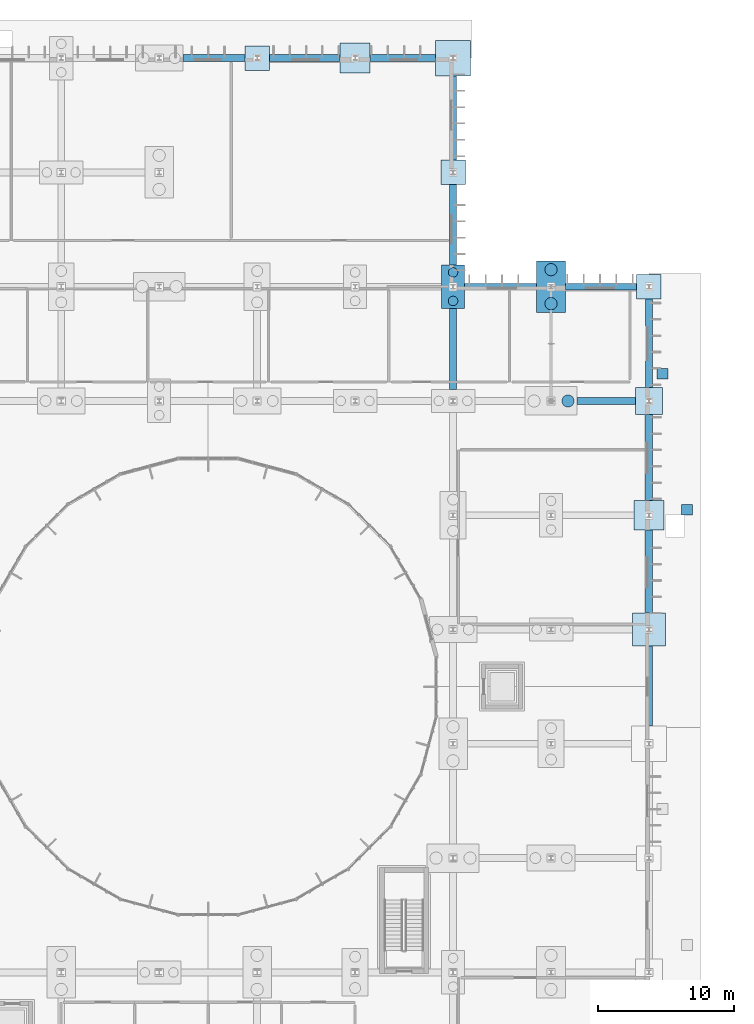
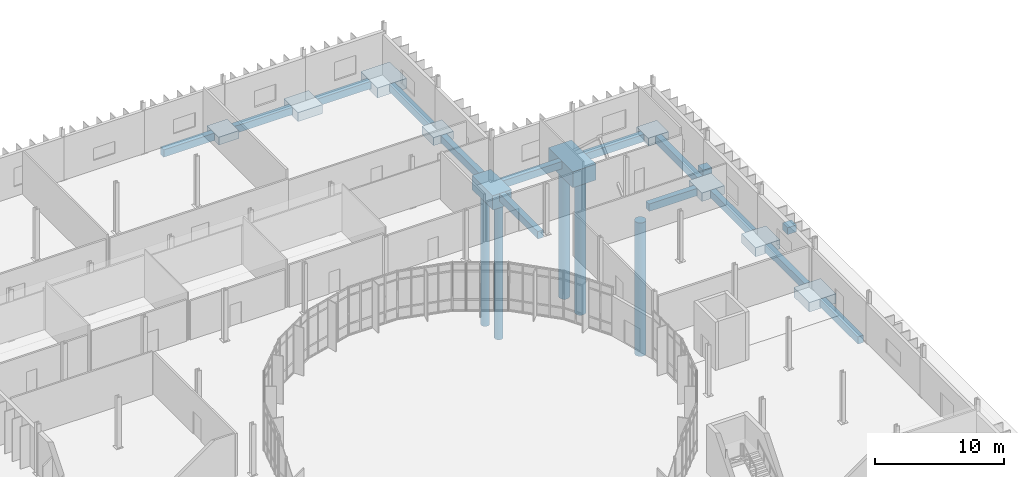
# One storey, part 7 of 118: 25 footings, 5 piles.
"""IFC4 building model written with IfcOpenShell, lengths in metres."""

import ifcopenshell
import ifcopenshell.guid

model = None  # the IFC model being written
_history = None  # IfcOwnerHistory: only IFC2X3 demands one
_inside = {}  # id of a spatial element -> (the spatial element, [elements in it])
_under = {}  # id of a project, library or spatial element -> (it, [spatial elements below it])
_declared = {}  # id of a project -> (the project, [libraries it declares])
_typed = {}  # id of a type object -> (the type object, [elements of that type])
_made_of = {}  # id of a material, layer set ... -> (it, [elements and type objects made of it])


def new_model(schema):
    """Start an empty IFC model of exactly this schema.

    Asked for "IFC4X3", IfcOpenShell would pick the latest addendum, in which some entities
    have other attributes; the version numbers below select the first issue.
    IFC2X3 requires an IfcOwnerHistory on every rooted entity: one is made here for all.
    """
    global model, _history
    if schema == "IFC4X3":
        model = ifcopenshell.file(schema_version=(4, 3, 0, 0))
    else:
        model = ifcopenshell.file(schema=schema)
    _inside.clear()
    _under.clear()
    _declared.clear()
    _typed.clear()
    _made_of.clear()
    _history = None
    if model.schema == "IFC2X3":
        org = make("IfcOrganization", Name="unknown")
        user = make(
            "IfcPersonAndOrganization",
            ThePerson=make("IfcPerson", FamilyName="unknown"),
            TheOrganization=org,
        )
        app = make(
            "IfcApplication",
            ApplicationDeveloper=org,
            Version="unknown",
            ApplicationFullName="unknown",
            ApplicationIdentifier="unknown",
        )
        _history = make(
            "IfcOwnerHistory",
            OwningUser=user,
            OwningApplication=app,
            ChangeAction="ADDED",
            CreationDate=0,
        )
    return model


def make(cls, **values):
    """One entity of the class cls with the attributes given. An attribute that is None is left unset."""
    return model.create_entity(
        cls, **{name: value for name, value in values.items() if value is not None}
    )


def rooted(cls, **values):
    """An entity with a GlobalId (a new one), such as an element, a storey or a relation."""
    return make(cls, GlobalId=ifcopenshell.guid.new(), OwnerHistory=_history, **values)


def si_unit(unit_type, name, prefix=None):
    """IfcSIUnit, for example si_unit("LENGTHUNIT", "METRE", prefix="MILLI")."""
    return make("IfcSIUnit", UnitType=unit_type, Prefix=prefix, Name=name)


def assignment(units):
    """IfcUnitAssignment: the units of a project."""
    return None if units is None else make("IfcUnitAssignment", Units=units)


def point(xyz):
    """IfcCartesianPoint."""
    return None if xyz is None else make("IfcCartesianPoint", Coordinates=xyz)


def direction(xyz):
    """IfcDirection."""
    return None if xyz is None else make("IfcDirection", DirectionRatios=xyz)


def frame(location, z_axis=None, x_axis=None):
    """IfcAxis2Placement3D, a coordinate frame: its origin and axes. An axis left out is left unset."""
    return make(
        "IfcAxis2Placement3D",
        Location=point(location),
        Axis=direction(z_axis),
        RefDirection=direction(x_axis),
    )


def frame_2d(location, x_axis=None):
    """IfcAxis2Placement2D, a coordinate frame in the plane: its origin and x axis."""
    return make(
        "IfcAxis2Placement2D", Location=point(location), RefDirection=direction(x_axis)
    )


def origin():
    """The frame at (0, 0, 0) with its axes left unset."""
    return frame((0.0, 0.0, 0.0))


def origin_2d():
    """The frame at (0, 0) in the plane with its x axis left unset."""
    return frame_2d((0.0, 0.0))


def place(relative_to, where):
    """IfcLocalPlacement: puts the frame where relative to a parent placement (None: the world)."""
    return make(
        "IfcLocalPlacement", PlacementRelTo=relative_to, RelativePlacement=where
    )


def context(
    kind, dimensions, precision=None, world=None, true_north=None, identifier=None
):
    """IfcGeometricRepresentationContext, for example the 3D "Model" context."""
    return make(
        "IfcGeometricRepresentationContext",
        ContextIdentifier=identifier,
        ContextType=kind,
        CoordinateSpaceDimension=dimensions,
        Precision=precision,
        WorldCoordinateSystem=world,
        TrueNorth=true_north,
    )


def subcontext(parent, identifier, kind, view, scale=None):
    """IfcGeometricRepresentationSubContext, for example "Body" below "Model"."""
    return make(
        "IfcGeometricRepresentationSubContext",
        ContextIdentifier=identifier,
        ContextType=kind,
        ParentContext=parent,
        TargetScale=scale,
        TargetView=view,
    )


def project(units=None, contexts=None):
    """IfcProject with its units and contexts."""
    return rooted(
        "IfcProject",
        Name="project",
        RepresentationContexts=contexts,
        UnitsInContext=assignment(units),
    )


def spatial(cls, under=None, at=None, **own):
    """A site, building, storey or space (cls), placed at a placement, below another one or the project."""
    s = rooted(cls, ObjectPlacement=at, **own)
    if under is not None:
        _under.setdefault(under.id(), (under, []))[1].append(s)
    return s


def polyline(points):
    """IfcPolyline through the points."""
    return make("IfcPolyline", Points=[point(p) for p in points])


def profile(cls, at=None, kind="AREA", **sizes):
    """A parametric profile (cls). Its sizes go by their IFC names, for example OverallWidth=200.0."""
    return make(cls, ProfileType=kind, Position=at, **sizes)


def rectangle(**sizes):
    """IfcRectangleProfileDef."""
    return profile("IfcRectangleProfileDef", **sizes)


def circle(**sizes):
    """IfcCircleProfileDef."""
    return profile("IfcCircleProfileDef", **sizes)


def outline(outer, holes=None, kind="AREA"):
    """IfcArbitraryClosedProfileDef: a profile drawn as a closed curve; with holes, ...WithVoids."""
    if holes is None:
        return make("IfcArbitraryClosedProfileDef", ProfileType=kind, OuterCurve=outer)
    return make(
        "IfcArbitraryProfileDefWithVoids",
        ProfileType=kind,
        OuterCurve=outer,
        InnerCurves=holes,
    )


def extrude(swept, where, along, depth):
    """IfcExtrudedAreaSolid: the profile swept, set in the frame where, extruded along a direction by depth."""
    return make(
        "IfcExtrudedAreaSolid",
        SweptArea=swept,
        Position=where,
        ExtrudedDirection=direction(along),
        Depth=depth,
    )


def shape(context_of_items, identifier, shape_type, items):
    """IfcShapeRepresentation: the items that make up one representation, for example the "Body"."""
    return make(
        "IfcShapeRepresentation",
        ContextOfItems=context_of_items,
        RepresentationIdentifier=identifier,
        RepresentationType=shape_type,
        Items=items,
    )


def material(Name=None, Category=None):
    """IfcMaterial."""
    return make("IfcMaterial", Name=Name, Category=Category)


def layer(
    of_material, thickness, ventilated=None, Name=None, Category=None, Priority=None
):
    """IfcMaterialLayer: one layer of a wall or slab, of a material (None: an air gap)."""
    return make(
        "IfcMaterialLayer",
        Material=of_material,
        LayerThickness=thickness,
        IsVentilated=ventilated,
        Name=Name,
        Category=Category,
        Priority=Priority,
    )


def layer_set(layers, Name=None):
    """IfcMaterialLayerSet."""
    return make("IfcMaterialLayerSet", MaterialLayers=layers, LayerSetName=Name)


def material_profile(
    of_material, cross_section, Name=None, Category=None, Priority=None
):
    """IfcMaterialProfile: a cross section and its material."""
    return make(
        "IfcMaterialProfile",
        Name=Name,
        Material=of_material,
        Profile=cross_section,
        Priority=Priority,
        Category=Category,
    )


def profile_set(profiles, Name=None, composite=None):
    """IfcMaterialProfileSet."""
    return make(
        "IfcMaterialProfileSet",
        Name=Name,
        MaterialProfiles=profiles,
        CompositeProfile=composite,
    )


def made_of(thing, what):
    """Note that an element or type object is made of a material, layer set ...; save() writes the relation."""
    if what is not None:
        _made_of.setdefault(what.id(), (what, []))[1].append(thing)
    return thing


def type_object(cls, material=None, **own):
    """A type object (cls), such as IfcWallType, which elements share."""
    return made_of(rooted(cls, **own), material)


def element(
    cls,
    number,
    at=None,
    inside=None,
    cuts=None,
    type_object=None,
    material=None,
    context=None,
    identifier="Body",
    shape_type=None,
    held_by="IfcProductDefinitionShape",
    body=None,
    shapes=None,
    **own,
):
    """One element of the class cls, such as IfcWall. Its Tag is "e" and its number.

    at: its placement. inside: the storey or other place that contains it. cuts: it is an
    opening in that element (IfcRelVoidsElement). A single representation is given by context,
    identifier, shape_type and body (its items); several are given by shapes. held_by: the class
    of the entity that holds the representations. save() writes the other relations.
    """
    e = rooted(cls, Tag="e%d" % number, ObjectPlacement=at, **own)
    if body is not None:
        shapes = [shape(context, identifier, shape_type, body)]
    if shapes is not None:
        e.Representation = make(held_by, Representations=shapes)
    if inside is not None:
        _inside.setdefault(inside.id(), (inside, []))[1].append(e)
    if cuts is not None:
        rooted(
            "IfcRelVoidsElement", RelatingBuildingElement=cuts, RelatedOpeningElement=e
        )
    if type_object is not None:
        _typed.setdefault(type_object.id(), (type_object, []))[1].append(e)
    return made_of(e, material)


def aggregate(whole, parts):
    """IfcRelAggregates: a whole, such as a stair, and the parts it consists of."""
    return rooted("IfcRelAggregates", RelatingObject=whole, RelatedObjects=parts)


def save(model, path):
    """Write the relations noted so far, then the file.

    IfcRelAggregates (storeys below a building ...), IfcRelContainedInSpatialStructure (elements
    in a storey), IfcRelDefinesByType, IfcRelAssociatesMaterial and IfcRelDeclares: one each for
    every whole, place, type object, material and project.
    """
    for whole, parts in _under.values():
        aggregate(whole, parts)
    for where, things in _inside.values():
        rooted(
            "IfcRelContainedInSpatialStructure",
            RelatedElements=things,
            RelatingStructure=where,
        )
    for kind, things in _typed.values():
        rooted("IfcRelDefinesByType", RelatedObjects=things, RelatingType=kind)
    for what, things in _made_of.values():
        rooted("IfcRelAssociatesMaterial", RelatedObjects=things, RelatingMaterial=what)
    for by, libraries in _declared.values():
        rooted("IfcRelDeclares", RelatingContext=by, RelatedDefinitions=libraries)
    model.write(path)


model = new_model("IFC4")

# Units and contexts
model_context = context("Model", 3, precision=1e-05, world=origin(), true_north=direction((0.0, 1.0)))
body_context = subcontext(model_context, "Body", "Model", "MODEL_VIEW")
ifc_project = project(units=[si_unit("LENGTHUNIT", "METRE"), si_unit("AREAUNIT", "SQUARE_METRE"), si_unit("VOLUMEUNIT", "CUBIC_METRE"), si_unit("PLANEANGLEUNIT", "RADIAN"), si_unit("MASSUNIT", "GRAM", prefix="KILO")], contexts=[model_context])

# Site, building, storey
site_placement = place(None, origin())
site = spatial("IfcSite", under=ifc_project, at=site_placement, CompositionType="ELEMENT")
building_placement = place(site_placement, origin())
building = spatial("IfcBuilding", under=site, at=building_placement, Name="Qelthora Terrace Specialist Clinic", CompositionType="ELEMENT")
storey_placement = place(building_placement, origin())
storey = spatial("IfcBuildingStorey", under=building, at=storey_placement, Name="L00", CompositionType="ELEMENT", Elevation=0.0)

# Footings
ifc_material = material(Name="Concrete C35/45", Category="concrete")
ifc_layer_1 = layer(ifc_material, 1.35009765625)
ifc_layer_set_1 = layer_set([ifc_layer_1], Name="Concrete C35/45")
footing_type_1 = type_object("IfcFootingType", Name="PC-1700X3200X1350", PredefinedType="PILE_CAP", material=ifc_layer_set_1)
footing_1_placement = place(storey_placement, frame((144.0, 92.39990234375, -1.610107421875), z_axis=(0.0, 0.0, 1.0), x_axis=(1.0, 0.0, 0.0)))
element("IfcFooting", 1, at=footing_1_placement, inside=storey, type_object=footing_type_1, Name="Foundation FTG-L00-233", PredefinedType="PILE_CAP", context=body_context, shape_type="SweptSolid", body=[
    extrude(rectangle(XDim=1.699951171875, YDim=3.199951171875, at=origin_2d()), origin(), (0.0, 0.0, 1.0), 1.35009765625),
])
ifc_layer_2 = layer(ifc_material, 1.5)
ifc_layer_set_2 = layer_set([ifc_layer_2], Name="Concrete C35/45")
footing_type_2 = type_object("IfcFootingType", Name="PC-2100X3800X1500", PredefinedType="PILE_CAP", material=ifc_layer_set_2)
footing_2_placement = place(storey_placement, frame((151.199951171875, 92.39990234375, -1.760009765625), z_axis=(0.0, 0.0, 1.0), x_axis=(1.0, 0.0, 0.0)))
element("IfcFooting", 2, at=footing_2_placement, inside=storey, type_object=footing_type_2, Name="Foundation FTG-L00-247", PredefinedType="PILE_CAP", context=body_context, shape_type="SweptSolid", body=[
    extrude(rectangle(XDim=2.10009765625, YDim=3.800048828125, at=origin_2d()), origin(), (0.0, 0.0, 1.0), 1.5),
])
ifc_layer_3 = layer(ifc_material, 0.75)
ifc_layer_set_3 = layer_set([ifc_layer_3], Name="Concrete C35/45")
footing_type_3 = type_object("IfcFootingType", Name="PF-1800X1800X750", PredefinedType="PAD_FOOTING", material=ifc_layer_set_3)
for number, where, z_axis, x_axis, name in (
    (3, (129.60009765625, 109.199951171875, -1.010009765625), (0.0, 0.0, 1.0), (1.0, 0.0, 0.0), "Foundation FTG-L00-214"),
    (4, (144.0, 100.800048828125, -1.010009765625), (0.0, 0.0, 1.0), (1.0, 0.0, 0.0), "Foundation FTG-L00-234"),
    (5, (158.39990234375, 92.39990234375, -1.010009765625), (0.0, 0.0, 1.0), (1.0, 0.0, 0.0), "Foundation FTG-L00-259"),
):
    element("IfcFooting", number, at=place(storey_placement, frame(where, z_axis=z_axis, x_axis=x_axis)), inside=storey, type_object=footing_type_3, Name=name, PredefinedType="PAD_FOOTING", context=body_context, shape_type="SweptSolid", body=[
        extrude(rectangle(XDim=1.800048828125, YDim=1.800048828125, at=origin_2d()), origin(), (0.0, 0.0, 1.0), 0.75),
    ])
ifc_layer_4 = layer(ifc_material, 0.800048828125)
ifc_layer_set_4 = layer_set([ifc_layer_4], Name="Concrete C35/45")
footing_type_4 = type_object("IfcFootingType", Name="PF-2000X2000X800", PredefinedType="PAD_FOOTING", material=ifc_layer_set_4)
footing_3_placement = place(storey_placement, frame((158.39990234375, 84.0, -1.06005859375), z_axis=(0.0, 0.0, 1.0), x_axis=(1.0, 0.0, 0.0)))
element("IfcFooting", 6, at=footing_3_placement, inside=storey, type_object=footing_type_4, Name="Foundation FTG-L00-258", PredefinedType="PAD_FOOTING", context=body_context, shape_type="SweptSolid", body=[
    extrude(rectangle(XDim=2.0, YDim=2.0, at=origin_2d()), origin(), (0.0, 0.0, 1.0), 0.800048828125),
])
ifc_layer_5 = layer(ifc_material, 0.85009765625)
ifc_layer_set_5 = layer_set([ifc_layer_5], Name="Concrete C35/45")
footing_type_5 = type_object("IfcFootingType", Name="PF-2200X2200X850", PredefinedType="PAD_FOOTING", material=ifc_layer_set_5)
for number, where, z_axis, x_axis, name in (
    (7, (136.800048828125, 109.199951171875, -1.110107421875), (0.0, 0.0, 1.0), (1.0, 0.0, 0.0), "Foundation FTG-L00-222"),
    (8, (158.39990234375, 75.60009765625, -1.110107421875), (0.0, 0.0, 1.0), (1.0, 0.0, 0.0), "Foundation FTG-L00-257"),
):
    element("IfcFooting", number, at=place(storey_placement, frame(where, z_axis=z_axis, x_axis=x_axis)), inside=storey, type_object=footing_type_5, Name=name, PredefinedType="PAD_FOOTING", context=body_context, shape_type="SweptSolid", body=[
        extrude(rectangle(XDim=2.199951171875, YDim=2.199951171875, at=origin_2d()), origin(), (0.0, 0.0, 1.0), 0.85009765625),
    ])
ifc_layer_6 = layer(ifc_material, 0.89990234375)
ifc_layer_set_6 = layer_set([ifc_layer_6], Name="Concrete C35/45")
footing_type_6 = type_object("IfcFootingType", Name="PF-2400X2400X900", PredefinedType="PAD_FOOTING", material=ifc_layer_set_6)
footing_4_placement = place(storey_placement, frame((158.39990234375, 67.199951171875, -1.159912109375), z_axis=(0.0, 0.0, 1.0), x_axis=(1.0, 0.0, 0.0)))
element("IfcFooting", 9, at=footing_4_placement, inside=storey, type_object=footing_type_6, Name="Foundation FTG-L00-256", PredefinedType="PAD_FOOTING", context=body_context, shape_type="SweptSolid", body=[
    extrude(rectangle(XDim=2.39990234375, YDim=2.39990234375, at=origin_2d()), origin(), (0.0, 0.0, 1.0), 0.89990234375),
])
ifc_layer_7 = layer(ifc_material, 0.949951171875)
ifc_layer_set_7 = layer_set([ifc_layer_7], Name="Concrete C35/45")
footing_type_7 = type_object("IfcFootingType", Name="PF-2600X2600X950", PredefinedType="PAD_FOOTING", material=ifc_layer_set_7)
footing_5_placement = place(storey_placement, frame((144.0, 109.199951171875, -1.2099609375), z_axis=(0.0, 0.0, 1.0), x_axis=(1.0, 0.0, 0.0)))
element("IfcFooting", 10, at=footing_5_placement, inside=storey, type_object=footing_type_7, Name="Foundation FTG-L00-235", PredefinedType="PAD_FOOTING", context=body_context, shape_type="SweptSolid", body=[
    extrude(rectangle(XDim=2.60009765625, YDim=2.60009765625, at=origin_2d()), origin(), (0.0, 0.0, 1.0), 0.949951171875),
])
ifc_layer_8 = layer(ifc_material, 0.64990234375)
ifc_layer_set_8 = layer_set([ifc_layer_8], Name="Concrete C35/45")
footing_type_8 = type_object("IfcFootingType", Name="PF-800X800X650", PredefinedType="PAD_FOOTING", material=ifc_layer_set_8)
for number, where, z_axis, x_axis, name in (
    (11, (161.199951171875, 76.0, -0.89990234375), (0.0, 0.0, 1.0), (1.0, 0.0, 0.0), "Under-slab apron pad footing FTG-PLZ-29"),
    (12, (159.39990234375, 86.0, -0.89990234375), (0.0, 0.0, 1.0), (1.0, 0.0, 0.0), "Under-slab apron pad footing FTG-PLZ-30"),
):
    element("IfcFooting", number, at=place(storey_placement, frame(where, z_axis=z_axis, x_axis=x_axis)), inside=storey, type_object=footing_type_8, Name=name, PredefinedType="PAD_FOOTING", context=body_context, shape_type="SweptSolid", body=[
        extrude(rectangle(XDim=0.800048828125, YDim=0.800048828125, at=origin_2d()), origin(), (0.0, 0.0, 1.0), 0.64990234375),
    ])

# Piles
ifc_material_profile_1 = material_profile(ifc_material, circle(Radius=0.35009765625, at=origin_2d()), Name="PILE700")
ifc_profile_set_1 = profile_set([ifc_material_profile_1], Name="Concrete C35/45")
pile_type_1 = type_object("IfcPileType", Name="PILE-D700-C35", PredefinedType="BORED", material=ifc_profile_set_1)
for number, where, z_axis, x_axis, name in (
    (13, (144.0, 91.35009765625, -1.510009765625), (0.0, 0.0, -1.0), (1.0, 0.0, 0.0), "Bored pile PILE-L00-233-1"),
    (14, (144.0, 93.449951171875, -1.510009765625), (0.0, 0.0, -1.0), (1.0, 0.0, 0.0), "Bored pile PILE-L00-233-2"),
):
    element("IfcPile", number, at=place(storey_placement, frame(where, z_axis=z_axis, x_axis=x_axis)), inside=storey, type_object=pile_type_1, Name=name, PredefinedType="BORED", context=body_context, shape_type="SweptSolid", body=[
        extrude(circle(Radius=0.35009765625, at=origin_2d()), origin(), (0.0, 0.0, 1.0), 12.7900390625),
    ])
ifc_material_profile_2 = material_profile(ifc_material, circle(Radius=0.449951171875, at=origin_2d()), Name="PILE900")
ifc_profile_set_2 = profile_set([ifc_material_profile_2], Name="Concrete C35/45")
pile_type_2 = type_object("IfcPileType", Name="PILE-D900-C35", PredefinedType="BORED", material=ifc_profile_set_2)
for number, where, z_axis, x_axis, name in (
    (15, (152.449951171875, 84.0, -1.659912109375), (0.0, 0.0, -1.0), (1.0, 0.0, 0.0), "Bored pile PILE-L00-246-2"),
    (16, (151.199951171875, 91.14990234375, -1.659912109375), (0.0, 0.0, -1.0), (1.0, 0.0, 0.0), "Bored pile PILE-L00-247-1"),
    (17, (151.199951171875, 93.64990234375, -1.659912109375), (0.0, 0.0, -1.0), (1.0, 0.0, 0.0), "Bored pile PILE-L00-247-2"),
):
    element("IfcPile", number, at=place(storey_placement, frame(where, z_axis=z_axis, x_axis=x_axis)), inside=storey, type_object=pile_type_2, Name=name, PredefinedType="BORED", context=body_context, shape_type="SweptSolid", body=[
        extrude(circle(Radius=0.449951171875, at=origin_2d()), origin(), (0.0, 0.0, 1.0), 12.639892578125),
    ])

# Footings
ifc_layer_9 = layer(ifc_material, 0.699951171875)
ifc_layer_set_9 = layer_set([ifc_layer_9], Name="Concrete C35/45")
footing_type_9 = type_object("IfcFootingType", Name="SF-500X700-C35", PredefinedType="STRIP_FOOTING", material=ifc_layer_set_9)
footing_6_placement = place(storey_placement, frame((0.0, 0.0, -0.9599609375)))
element("IfcFooting", 18, at=footing_6_placement, inside=storey, type_object=footing_type_9, Name="Foundation tie strip SF-X-260", PredefinedType="STRIP_FOOTING", context=body_context, shape_type="SweptSolid", body=[
    extrude(outline(polyline([(124.14990234375, 108.949951171875), (128.699951171875, 108.949951171875), (128.699951171875, 109.449951171875), (124.14990234375, 109.449951171875), (124.14990234375, 108.949951171875)])), origin(), (0.0, 0.0, 1.0), 0.699951171875),
])
footing_7_placement = place(storey_placement, frame((0.0, 0.0, -0.9599609375)))
element("IfcFooting", 19, at=footing_7_placement, inside=storey, type_object=footing_type_9, Name="Foundation tie strip SF-X-272", PredefinedType="STRIP_FOOTING", context=body_context, shape_type="SweptSolid", body=[
    extrude(outline(polyline([(130.5, 108.949951171875), (135.699951171875, 108.949951171875), (135.699951171875, 109.449951171875), (130.5, 109.449951171875), (130.5, 108.949951171875)])), origin(), (0.0, 0.0, 1.0), 0.699951171875),
])
footing_8_placement = place(storey_placement, frame((0.0, 0.0, -0.9599609375)))
element("IfcFooting", 20, at=footing_8_placement, inside=storey, type_object=footing_type_9, Name="Foundation tie strip SF-X-280", PredefinedType="STRIP_FOOTING", context=body_context, shape_type="SweptSolid", body=[
    extrude(outline(polyline([(137.89990234375, 108.949951171875), (142.699951171875, 108.949951171875), (142.699951171875, 109.449951171875), (137.89990234375, 109.449951171875), (137.89990234375, 108.949951171875)])), origin(), (0.0, 0.0, 1.0), 0.699951171875),
])
footing_9_placement = place(storey_placement, frame((0.0, 0.0, -0.9599609375)))
element("IfcFooting", 21, at=footing_9_placement, inside=storey, type_object=footing_type_9, Name="Foundation tie strip SF-Y-299", PredefinedType="STRIP_FOOTING", context=body_context, shape_type="SweptSolid", body=[
    extrude(outline(polyline([(143.75, 84.85009765625), (144.25, 84.85009765625), (144.25, 90.800048828125), (143.75, 90.800048828125), (143.75, 84.85009765625)])), origin(), (0.0, 0.0, 1.0), 0.699951171875),
])
footing_10_placement = place(storey_placement, frame((0.0, 0.0, -0.9599609375)))
element("IfcFooting", 22, at=footing_10_placement, inside=storey, type_object=footing_type_9, Name="Foundation tie strip SF-X-300", PredefinedType="STRIP_FOOTING", context=body_context, shape_type="SweptSolid", body=[
    extrude(outline(polyline([(144.85009765625, 92.14990234375), (150.14990234375, 92.14990234375), (150.14990234375, 92.64990234375), (144.85009765625, 92.64990234375), (144.85009765625, 92.14990234375)])), origin(), (0.0, 0.0, 1.0), 0.699951171875),
])
footing_11_placement = place(storey_placement, frame((0.0, 0.0, -0.9599609375)))
element("IfcFooting", 23, at=footing_11_placement, inside=storey, type_object=footing_type_9, Name="Foundation tie strip SF-Y-301", PredefinedType="STRIP_FOOTING", context=body_context, shape_type="SweptSolid", body=[
    extrude(outline(polyline([(143.75, 94.0), (144.25, 94.0), (144.25, 99.89990234375), (143.75, 99.89990234375), (143.75, 94.0)])), origin(), (0.0, 0.0, 1.0), 0.699951171875),
])
footing_12_placement = place(storey_placement, frame((0.0, 0.0, -0.9599609375)))
element("IfcFooting", 24, at=footing_12_placement, inside=storey, type_object=footing_type_9, Name="Foundation tie strip SF-Y-302", PredefinedType="STRIP_FOOTING", context=body_context, shape_type="SweptSolid", body=[
    extrude(outline(polyline([(143.75, 101.699951171875), (144.25, 101.699951171875), (144.25, 107.89990234375), (143.75, 107.89990234375), (143.75, 101.699951171875)])), origin(), (0.0, 0.0, 1.0), 0.699951171875),
])
footing_13_placement = place(storey_placement, frame((0.0, 0.0, -0.9599609375)))
element("IfcFooting", 25, at=footing_13_placement, inside=storey, type_object=footing_type_9, Name="Foundation tie strip SF-X-313", PredefinedType="STRIP_FOOTING", context=body_context, shape_type="SweptSolid", body=[
    extrude(outline(polyline([(153.10009765625, 83.75), (157.39990234375, 83.75), (157.39990234375, 84.25), (153.10009765625, 84.25), (153.10009765625, 83.75)])), origin(), (0.0, 0.0, 1.0), 0.699951171875),
])
footing_14_placement = place(storey_placement, frame((0.0, 0.0, -0.9599609375)))
element("IfcFooting", 26, at=footing_14_placement, inside=storey, type_object=footing_type_9, Name="Foundation tie strip SF-X-314", PredefinedType="STRIP_FOOTING", context=body_context, shape_type="SweptSolid", body=[
    extrude(outline(polyline([(152.25, 92.14990234375), (157.5, 92.14990234375), (157.5, 92.64990234375), (152.25, 92.64990234375), (152.25, 92.14990234375)])), origin(), (0.0, 0.0, 1.0), 0.699951171875),
])
footing_15_placement = place(storey_placement, frame((0.0, 0.0, -0.9599609375)))
element("IfcFooting", 27, at=footing_15_placement, inside=storey, type_object=footing_type_9, Name="Foundation tie strip SF-Y-322", PredefinedType="STRIP_FOOTING", context=body_context, shape_type="SweptSolid", body=[
    extrude(outline(polyline([(158.14990234375, 60.10009765625), (158.64990234375, 60.10009765625), (158.64990234375, 66.0), (158.14990234375, 66.0), (158.14990234375, 60.10009765625)])), origin(), (0.0, 0.0, 1.0), 0.699951171875),
])
footing_16_placement = place(storey_placement, frame((0.0, 0.0, -0.9599609375)))
element("IfcFooting", 28, at=footing_16_placement, inside=storey, type_object=footing_type_9, Name="Foundation tie strip SF-Y-323", PredefinedType="STRIP_FOOTING", context=body_context, shape_type="SweptSolid", body=[
    extrude(outline(polyline([(158.14990234375, 68.39990234375), (158.64990234375, 68.39990234375), (158.64990234375, 74.5), (158.14990234375, 74.5), (158.14990234375, 68.39990234375)])), origin(), (0.0, 0.0, 1.0), 0.699951171875),
])
footing_17_placement = place(storey_placement, frame((0.0, 0.0, -0.9599609375)))
element("IfcFooting", 29, at=footing_17_placement, inside=storey, type_object=footing_type_9, Name="Foundation tie strip SF-Y-324", PredefinedType="STRIP_FOOTING", context=body_context, shape_type="SweptSolid", body=[
    extrude(outline(polyline([(158.14990234375, 76.699951171875), (158.64990234375, 76.699951171875), (158.64990234375, 83.0), (158.14990234375, 83.0), (158.14990234375, 76.699951171875)])), origin(), (0.0, 0.0, 1.0), 0.699951171875),
])
footing_18_placement = place(storey_placement, frame((0.0, 0.0, -0.9599609375)))
element("IfcFooting", 30, at=footing_18_placement, inside=storey, type_object=footing_type_9, Name="Foundation tie strip SF-Y-325", PredefinedType="STRIP_FOOTING", context=body_context, shape_type="SweptSolid", body=[
    extrude(outline(polyline([(158.14990234375, 85.0), (158.64990234375, 85.0), (158.64990234375, 91.5), (158.14990234375, 91.5), (158.14990234375, 85.0)])), origin(), (0.0, 0.0, 1.0), 0.699951171875),
])

save(model, "model.ifc")
